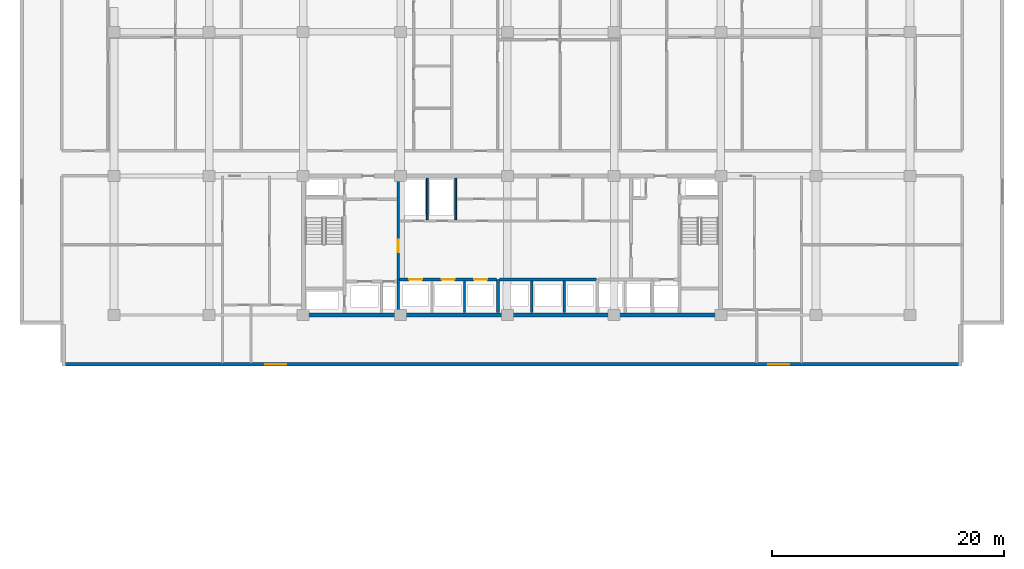
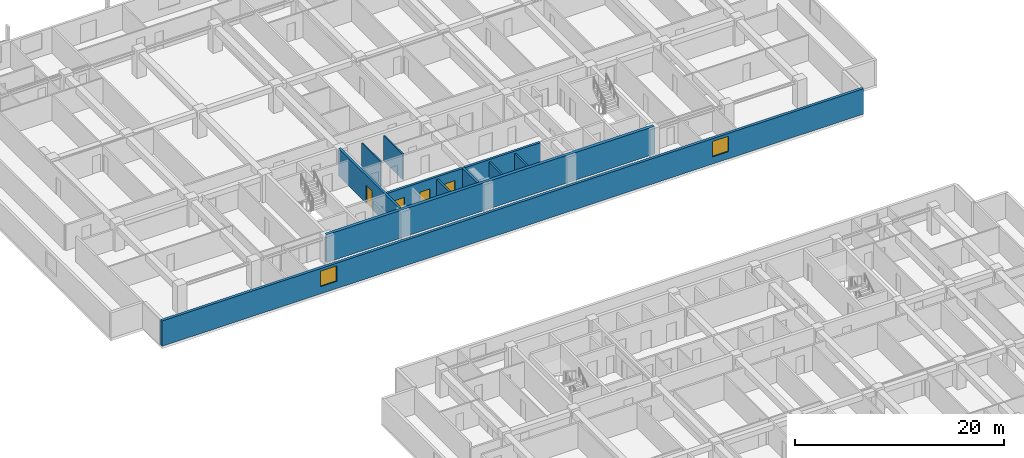
# One storey, part 11 of 24: 11 walls, 4 doors, 2 windows, 6 openings.
"""IFC4 building model written with IfcOpenShell, lengths in metres."""

from ifc_helpers import new_model, si_unit, direction, frame, frame_2d, origin, place, context, subcontext, project, spatial, rectangle, extrude, material, layer, layer_set, type_object, element, fill, save


model = new_model("IFC4")

# Units and contexts
model_context = context("Model", 3, precision=1e-05, world=origin(), true_north=direction((0.0, 1.0)))
body_context = subcontext(model_context, "Body", "Model", "MODEL_VIEW")
ifc_project = project(units=[si_unit("LENGTHUNIT", "METRE"), si_unit("AREAUNIT", "SQUARE_METRE"), si_unit("VOLUMEUNIT", "CUBIC_METRE"), si_unit("PLANEANGLEUNIT", "RADIAN"), si_unit("MASSUNIT", "GRAM", prefix="KILO")], contexts=[model_context])

# Site, building, storey
site_placement = place(None, origin())
site = spatial("IfcSite", under=ifc_project, at=site_placement, CompositionType="ELEMENT")
building_placement = place(site_placement, origin())
building = spatial("IfcBuilding", under=site, at=building_placement, Name="Korimba Cascade Residences", CompositionType="ELEMENT")
storey_placement = place(building_placement, frame((0.0, 0.0, 43.5)))
storey = spatial("IfcBuildingStorey", under=building, at=storey_placement, Name="L11", CompositionType="ELEMENT", Elevation=43.5)

# Wall, openings, windows
ifc_material_1 = material(Name="Precast concrete C40/50", Category="concrete")
ifc_layer_1 = layer(ifc_material_1, 0.300048828125)
ifc_layer_set_1 = layer_set([ifc_layer_1], Name="Precast concrete C40/50")
wall_type_1 = type_object("IfcWallType", Name="EW-STONE-300", PredefinedType="STANDARD", material=ifc_layer_set_1)
wall_1_placement = place(storey_placement, frame((55.300048828125, 50.949951171875, 0.0), z_axis=(0.0, 0.0, 1.0), x_axis=(1.0, 0.0, 0.0)))
wall_1 = element("IfcWall", 1, at=wall_1_placement, inside=storey, type_object=wall_type_1, Name="L11 T1 Perimeter Stone Wall E00", PredefinedType="STANDARD", context=body_context, shape_type="SweptSolid", body=[
    extrude(rectangle(XDim=77.599853515625, YDim=0.300048828125, at=frame_2d((38.7998046875, 0.0))), origin(), (0.0, 0.0, 1.0), 2.969970703125),
])
opening_1_placement = place(wall_1_placement, frame((17.52490234375, 0.0, 0.85009765625)))
opening_1 = element("IfcOpeningElement", 2, at=opening_1_placement, cuts=wall_1, Name="Opening W-02", PredefinedType="OPENING", context=body_context, shape_type="SweptSolid", body=[
    extrude(rectangle(XDim=1.800048828125, YDim=1.800048828125, at=frame_2d((0.89990234375, 0.89990234375))), frame((0.0, 0.16015625, 0.0), z_axis=(0.0, -1.0, 0.0), x_axis=(1.0, 0.0, 0.0)), (0.0, 0.0, 1.0), 0.320068359375),
])
opening_2_placement = place(wall_1_placement, frame((60.875, 0.0, 0.85009765625)))
opening_2 = element("IfcOpeningElement", 3, at=opening_2_placement, cuts=wall_1, Name="Opening W-02", PredefinedType="OPENING", context=body_context, shape_type="SweptSolid", body=[
    extrude(rectangle(XDim=1.800048828125, YDim=1.800048828125, at=frame_2d((0.89990234375, 0.89990234375))), frame((0.0, 0.16015625, 0.0), z_axis=(0.0, -1.0, 0.0), x_axis=(1.0, 0.0, 0.0)), (0.0, 0.0, 1.0), 0.320068359375),
])
ifc_material_2 = material(Name="Double-Glazed Aluminium Window", Category="aluminium")
window_type = type_object("IfcWindowType", Name="WIN-BED-1800", PartitioningType="SINGLE_PANEL", PredefinedType="WINDOW", material=ifc_material_2)
window_1_placement = place(opening_1_placement, origin())
window_1 = element("IfcWindow", 4, at=window_1_placement, inside=storey, type_object=window_type, Name="L11 T1 South Corner Bedroom Window 1", OverallHeight=1.800048828125, OverallWidth=1.800048828125, PartitioningType="SINGLE_PANEL", PredefinedType="WINDOW", context=body_context, shape_type="SweptSolid", body=[
    extrude(rectangle(XDim=1.800048828125, YDim=1.800048828125, at=frame_2d((0.89990234375, 0.89990234375))), frame((0.0, 0.030029296875, 0.0), z_axis=(0.0, -1.0, 0.0), x_axis=(1.0, 0.0, 0.0)), (0.0, 0.0, 1.0), 0.06005859375),
])
fill(opening_1, window_1)
window_2_placement = place(opening_2_placement, origin())
window_2 = element("IfcWindow", 5, at=window_2_placement, inside=storey, type_object=window_type, Name="L11 T1 South Corner Bedroom Window 2", OverallHeight=1.800048828125, OverallWidth=1.800048828125, PartitioningType="SINGLE_PANEL", PredefinedType="WINDOW", context=body_context, shape_type="SweptSolid", body=[
    extrude(rectangle(XDim=1.800048828125, YDim=1.800048828125, at=frame_2d((0.89990234375, 0.89990234375))), frame((0.0, 0.030029296875, 0.0), z_axis=(0.0, -1.0, 0.0), x_axis=(1.0, 0.0, 0.0)), (0.0, 0.0, 1.0), 0.06005859375),
])
fill(opening_2, window_2)

# Walls
ifc_material_3 = material(Name="Concrete C65/80", Category="concrete")
ifc_layer_2 = layer(ifc_material_3, 0.35009765625)
ifc_layer_set_2 = layer_set([ifc_layer_2], Name="Concrete C65/80")
wall_type_2 = type_object("IfcWallType", Name="WAL-CORE-350", PredefinedType="SHEAR", material=ifc_layer_set_2)
wall_2_placement = place(storey_placement, frame((75.949951171875, 55.199951171875, 0.0), z_axis=(0.0, 0.0, 1.0), x_axis=(1.0, 0.0, 0.0)))
element("IfcWall", 6, at=wall_2_placement, inside=storey, type_object=wall_type_2, Name="L11 Core Shear Wall CW-L11-T1-S", PredefinedType="SHEAR", context=body_context, shape_type="SweptSolid", body=[
    extrude(rectangle(XDim=36.300048828125, YDim=0.35009765625, at=frame_2d((18.14990234375, 0.0))), origin(), (0.0, 0.0, 1.0), 3.25),
])
ifc_material_4 = material(Name="Insulated Acoustic Stud Partition", Category="gypsum")
ifc_layer_3 = layer(ifc_material_4, 0.14990234375)
ifc_layer_set_3 = layer_set([ifc_layer_3], Name="Insulated Acoustic Stud Partition")
wall_type_3 = type_object("IfcWallType", Name="WAL-PART-150", PredefinedType="PARTITIONING", material=ifc_layer_set_3)
for number, where, z_axis, x_axis, name in (
    (7, (86.800048828125, 63.39990234375, 0.0), (0.0, 0.0, 1.0), (0.0, 1.0, 0.0), "L11 Partition Wall CW-L11-T1-ERDIV"),
    (8, (89.25, 63.39990234375, 0.0), (0.0, 0.0, 1.0), (0.0, 1.0, 0.0), "L11 Partition Wall CW-L11-T1-PRDIV"),
):
    element("IfcWall", number, at=place(storey_placement, frame(where, z_axis=z_axis, x_axis=x_axis)), inside=storey, type_object=wall_type_3, Name=name, PredefinedType="PARTITIONING", context=body_context, shape_type="SweptSolid", body=[
        extrude(rectangle(XDim=3.60009765625, YDim=0.14990234375, at=frame_2d((1.800048828125, 0.0))), origin(), (0.0, 0.0, 1.0), 2.969970703125),
    ])
ifc_material_5 = material(Name="Concrete C40/50", Category="concrete")
ifc_layer_4 = layer(ifc_material_5, 0.199951171875)
ifc_layer_set_4 = layer_set([ifc_layer_4], Name="Concrete C40/50")
wall_type_4 = type_object("IfcWallType", Name="WAL-PART-200", PredefinedType="PARTITIONING", material=ifc_layer_set_4)
for number, where, z_axis, x_axis, name in (
    (9, (90.0, 55.39990234375, 0.0), (0.0, 0.0, 1.0), (0.0, 1.0, 0.0), "L11 Partition Wall CW-L11-T1-B1D2"),
    (10, (95.800048828125, 55.39990234375, 0.0), (0.0, 0.0, 1.0), (0.0, 1.0, 0.0), "L11 Partition Wall CW-L11-T1-B2D1"),
    (11, (98.60009765625, 55.39990234375, 0.0), (0.0, 0.0, 1.0), (0.0, 1.0, 0.0), "L11 Partition Wall CW-L11-T1-B2D2"),
):
    element("IfcWall", number, at=place(storey_placement, frame(where, z_axis=z_axis, x_axis=x_axis)), inside=storey, type_object=wall_type_4, Name=name, PredefinedType="PARTITIONING", context=body_context, shape_type="SweptSolid", body=[
        extrude(rectangle(XDim=2.72021484375, YDim=0.199951171875, at=frame_2d((1.360107421875, 0.0))), origin(), (0.0, 0.0, 1.0), 2.969970703125),
    ])

# Wall, opening, door
ifc_material_6 = material(Name="Concrete C50/60", Category="concrete")
ifc_layer_5 = layer(ifc_material_6, 0.25)
ifc_layer_set_5 = layer_set([ifc_layer_5], Name="Concrete C50/60")
wall_type_5 = type_object("IfcWallType", Name="WAL-SHAFT-250", PredefinedType="SHEAR", material=ifc_layer_set_5)
wall_3_placement = place(storey_placement, frame((84.300048828125, 55.39990234375, 0.0), z_axis=(0.0, 0.0, 1.0), x_axis=(0.0, 1.0, 0.0)))
wall_3 = element("IfcWall", 12, at=wall_3_placement, inside=storey, type_object=wall_type_5, Name="L11 Core Shear Wall CW-L11-T1-FFLE", PredefinedType="SHEAR", context=body_context, shape_type="SweptSolid", body=[
    extrude(rectangle(XDim=11.60009765625, YDim=0.25, at=frame_2d((5.800048828125, 0.0))), origin(), (0.0, 0.0, 1.0), 3.25),
])
opening_3_placement = place(wall_3_placement, frame((5.199951171875, 0.0, 0.0)))
opening_3 = element("IfcOpeningElement", 13, at=opening_3_placement, cuts=wall_3, Name="Opening D-FD1", PredefinedType="OPENING", context=body_context, shape_type="SweptSolid", body=[
    extrude(rectangle(XDim=1.10009765625, YDim=2.10009765625, at=frame_2d((0.550048828125, 1.050048828125))), frame((0.0, 0.135009765625, 0.0), z_axis=(0.0, -1.0, 0.0), x_axis=(1.0, 0.0, 0.0)), (0.0, 0.0, 1.0), 0.27001953125),
])
ifc_material_7 = material(Name="Fire-Rated Steel Core Door", Category="steel")
door_type_1 = type_object("IfcDoorType", Name="DR-FD120-1100", OperationType="NOTDEFINED", PredefinedType="DOOR", material=ifc_material_7)
door_1_placement = place(opening_3_placement, origin())
door_1 = element("IfcDoor", 14, at=door_1_placement, inside=storey, type_object=door_type_1, Name="L11 Firefighting Lobby to Lift Lobby Door", OperationType="SINGLE_SWING_LEFT", OverallHeight=2.10009765625, OverallWidth=1.10009765625, PredefinedType="DOOR", context=body_context, shape_type="SweptSolid", body=[
    extrude(rectangle(XDim=1.10009765625, YDim=2.10009765625, at=frame_2d((0.550048828125, 1.050048828125))), frame((0.0, 0.02490234375, 0.0), z_axis=(0.0, -1.0, 0.0), x_axis=(1.0, 0.0, 0.0)), (0.0, 0.0, 1.0), 0.050048828125),
])
fill(opening_3, door_1)

# Wall, openings, doors
wall_4_placement = place(storey_placement, frame((84.419921875, 58.25, 0.0), z_axis=(0.0, 0.0, 1.0), x_axis=(1.0, 0.0, 0.0)))
wall_4 = element("IfcWall", 15, at=wall_4_placement, inside=storey, type_object=wall_type_5, Name="L11 Core Shear Wall CW-L11-T1-B1N", PredefinedType="SHEAR", context=body_context, shape_type="SweptSolid", body=[
    extrude(rectangle(XDim=8.360107421875, YDim=0.25, at=frame_2d((4.18017578125, 0.0))), origin(), (0.0, 0.0, 1.0), 3.25),
])
opening_4_placement = place(wall_4_placement, frame((0.820068359375, 0.0, 0.0)))
opening_4 = element("IfcOpeningElement", 16, at=opening_4_placement, cuts=wall_4, Name="Opening LD-01", PredefinedType="OPENING", context=body_context, shape_type="SweptSolid", body=[
    extrude(rectangle(XDim=1.1201171875, YDim=2.1201171875, at=frame_2d((0.56005859375, 1.06005859375))), frame((0.0, 0.135009765625, 0.0), z_axis=(0.0, -1.0, 0.0), x_axis=(1.0, 0.0, 0.0)), (0.0, 0.0, 1.0), 0.27001953125),
])
opening_5_placement = place(wall_4_placement, frame((3.6201171875, 0.0, 0.0)))
opening_5 = element("IfcOpeningElement", 17, at=opening_5_placement, cuts=wall_4, Name="Opening LD-01", PredefinedType="OPENING", context=body_context, shape_type="SweptSolid", body=[
    extrude(rectangle(XDim=1.1201171875, YDim=2.1201171875, at=frame_2d((0.56005859375, 1.06005859375))), frame((0.0, 0.135009765625, 0.0), z_axis=(0.0, -1.0, 0.0), x_axis=(1.0, 0.0, 0.0)), (0.0, 0.0, 1.0), 0.27001953125),
])
opening_6_placement = place(wall_4_placement, frame((6.419921875, 0.0, 0.0)))
opening_6 = element("IfcOpeningElement", 18, at=opening_6_placement, cuts=wall_4, Name="Opening LD-01", PredefinedType="OPENING", context=body_context, shape_type="SweptSolid", body=[
    extrude(rectangle(XDim=1.1201171875, YDim=2.1201171875, at=frame_2d((0.56005859375, 1.06005859375))), frame((0.0, 0.135009765625, 0.0), z_axis=(0.0, -1.0, 0.0), x_axis=(1.0, 0.0, 0.0)), (0.0, 0.0, 1.0), 0.27001953125),
])
ifc_material_8 = material(Name="Stainless Steel Lift Landing Sliding Door", Category="steel")
door_type_2 = type_object("IfcDoorType", Name="DR-LIFT-1100", OperationType="NOTDEFINED", PredefinedType="DOOR", material=ifc_material_8)
door_2_placement = place(opening_4_placement, origin())
door_2 = element("IfcDoor", 19, at=door_2_placement, inside=storey, type_object=door_type_2, Name="L11 Lift Landing Door PL-W1", OperationType="SLIDING_TO_LEFT", OverallHeight=2.1201171875, OverallWidth=1.1201171875, PredefinedType="DOOR", context=body_context, shape_type="SweptSolid", body=[
    extrude(rectangle(XDim=1.1201171875, YDim=2.1201171875, at=frame_2d((0.56005859375, 1.06005859375))), frame((0.0, 0.02490234375, 0.0), z_axis=(0.0, -1.0, 0.0), x_axis=(1.0, 0.0, 0.0)), (0.0, 0.0, 1.0), 0.050048828125),
])
fill(opening_4, door_2)
door_3_placement = place(opening_5_placement, origin())
door_3 = element("IfcDoor", 20, at=door_3_placement, inside=storey, type_object=door_type_2, Name="L11 Lift Landing Door PL-W2", OperationType="SLIDING_TO_LEFT", OverallHeight=2.1201171875, OverallWidth=1.1201171875, PredefinedType="DOOR", context=body_context, shape_type="SweptSolid", body=[
    extrude(rectangle(XDim=1.1201171875, YDim=2.1201171875, at=frame_2d((0.56005859375, 1.06005859375))), frame((0.0, 0.02490234375, 0.0), z_axis=(0.0, -1.0, 0.0), x_axis=(1.0, 0.0, 0.0)), (0.0, 0.0, 1.0), 0.050048828125),
])
fill(opening_5, door_3)
door_4_placement = place(opening_6_placement, origin())
door_4 = element("IfcDoor", 21, at=door_4_placement, inside=storey, type_object=door_type_2, Name="L11 Lift Landing Door PL-W3", OperationType="SLIDING_TO_LEFT", OverallHeight=2.1201171875, OverallWidth=1.1201171875, PredefinedType="DOOR", context=body_context, shape_type="SweptSolid", body=[
    extrude(rectangle(XDim=1.1201171875, YDim=2.1201171875, at=frame_2d((0.56005859375, 1.06005859375))), frame((0.0, 0.02490234375, 0.0), z_axis=(0.0, -1.0, 0.0), x_axis=(1.0, 0.0, 0.0)), (0.0, 0.0, 1.0), 0.050048828125),
])
fill(opening_6, door_4)

# Walls
wall_5_placement = place(storey_placement, frame((92.89990234375, 55.39990234375, 0.0), z_axis=(0.0, 0.0, 1.0), x_axis=(0.0, 1.0, 0.0)))
element("IfcWall", 22, at=wall_5_placement, inside=storey, type_object=wall_type_5, Name="L11 Core Shear Wall CW-L11-T1-B12DIV", PredefinedType="SHEAR", context=body_context, shape_type="SweptSolid", body=[
    extrude(rectangle(XDim=2.85009765625, YDim=0.25, at=frame_2d((1.425048828125, 0.0))), origin(), (0.0, 0.0, 1.0), 3.25),
])
wall_6_placement = place(storey_placement, frame((93.02001953125, 58.25, 0.0), z_axis=(0.0, 0.0, 1.0), x_axis=(1.0, 0.0, 0.0)))
element("IfcWall", 23, at=wall_6_placement, inside=storey, type_object=wall_type_5, Name="L11 Core Shear Wall CW-L11-T1-B2N", PredefinedType="SHEAR", context=body_context, shape_type="SweptSolid", body=[
    extrude(rectangle(XDim=8.35986328125, YDim=0.25, at=frame_2d((4.179931640625, 0.0))), origin(), (0.0, 0.0, 1.0), 3.25),
])

save(model, "model.ifc")
